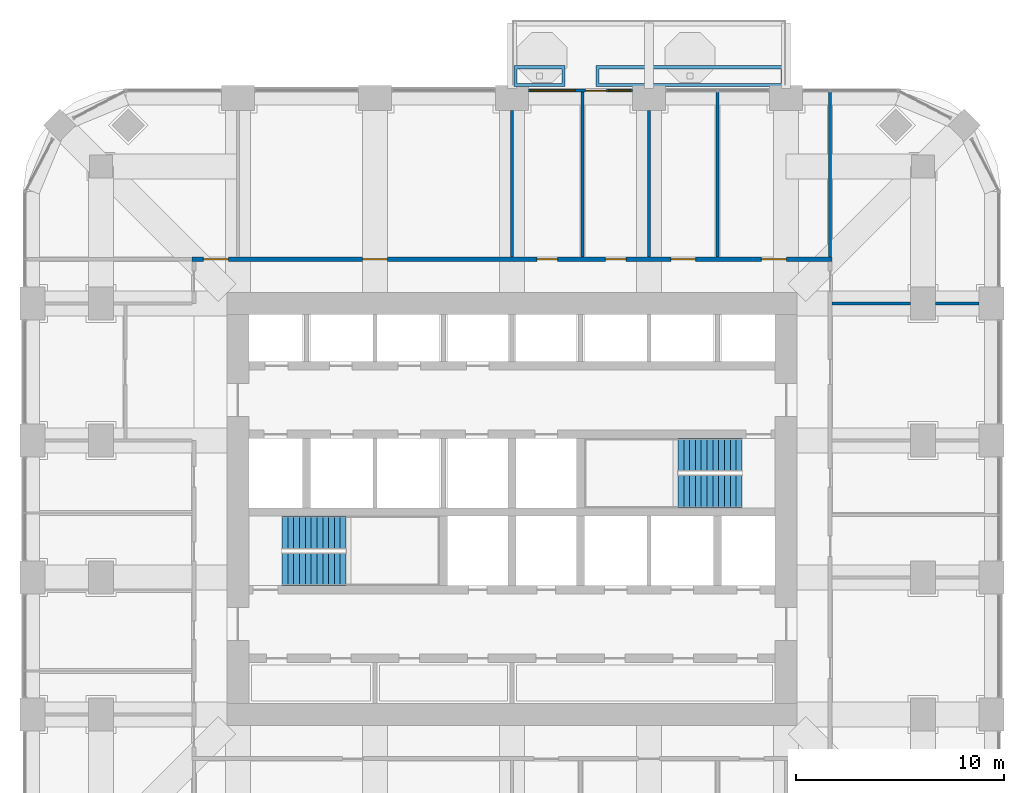
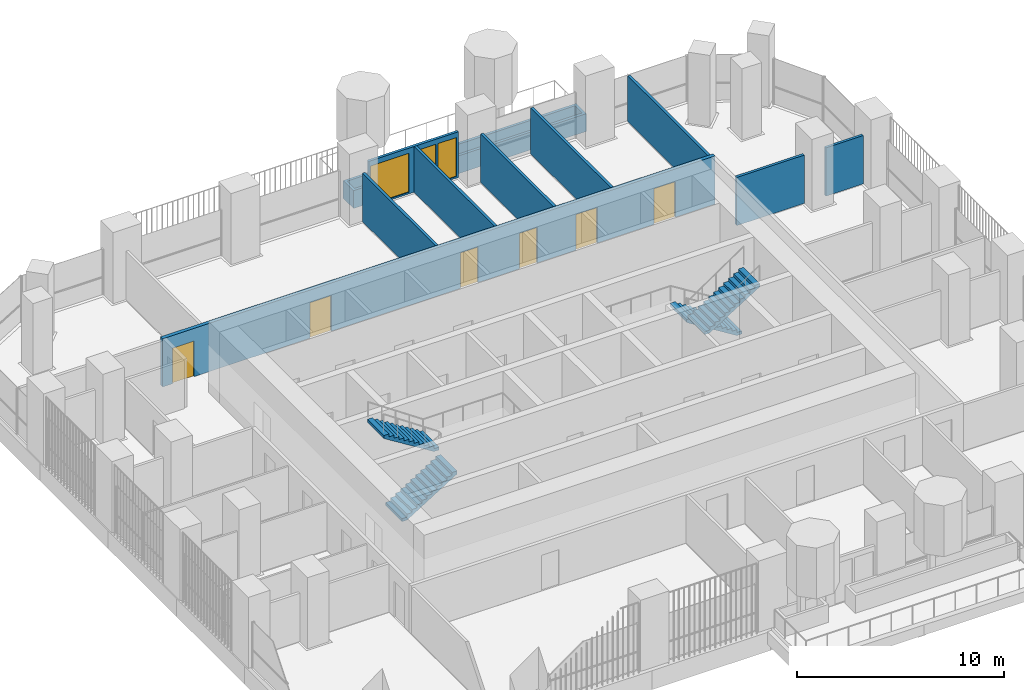
# One storey, part 15 of 19: 11 walls, 7 doors, 4 stair flights, 2 windows, 9 openings, 2 elements without a shape of their own.
"""IFC4 building model written with IfcOpenShell, lengths in metres."""

from ifc_helpers import new_model, si_unit, direction, frame, frame_2d, origin, place, context, subcontext, project, spatial, polyline, rectangle, outline, extrude, material, layer, layer_set, type_object, element, fill, aggregate, save


model = new_model("IFC4")

# Units and contexts
model_context = context("Model", 3, precision=1e-05, world=origin(), true_north=direction((0.0, 1.0)))
body_context = subcontext(model_context, "Body", "Model", "MODEL_VIEW")
ifc_project = project(units=[si_unit("LENGTHUNIT", "METRE"), si_unit("AREAUNIT", "SQUARE_METRE"), si_unit("VOLUMEUNIT", "CUBIC_METRE"), si_unit("PLANEANGLEUNIT", "RADIAN"), si_unit("MASSUNIT", "GRAM", prefix="KILO")], contexts=[model_context])

# Site, building, storey
site_placement = place(None, origin())
site = spatial("IfcSite", under=ifc_project, at=site_placement, CompositionType="ELEMENT")
building_placement = place(site_placement, origin())
building = spatial("IfcBuilding", under=site, at=building_placement, Name="Cobogo Forest Laboratory Tower", CompositionType="ELEMENT")
storey_placement = place(building_placement, frame((0.0, 0.0, 172.5)))
storey = spatial("IfcBuildingStorey", under=building, at=storey_placement, Name="L39", CompositionType="ELEMENT", Elevation=172.5)

# Wall, openings, door, windows
ifc_material_1 = material(Name="Aluminium framed glazed screen", Category="aluminium")
ifc_layer_1 = layer(ifc_material_1, 0.14990234375)
ifc_layer_set_1 = layer_set([ifc_layer_1], Name="GS1 glazed door screen 150")
wall_type_1 = type_object("IfcWallType", Name="GS1 glazed door screen 150", PredefinedType="SOLIDWALL", material=ifc_layer_set_1)
wall_1_placement = place(storey_placement, frame((32.199951171875, 43.25, 0.0), z_axis=(0.0, 0.0, 1.0), x_axis=(-1.0, 0.0, 0.0)))
wall_1 = element("IfcWall", 1, at=wall_1_placement, inside=storey, type_object=wall_type_1, Name="Door screen BAL-N1 L39", PredefinedType="SOLIDWALL", context=body_context, shape_type="SweptSolid", body=[
    extrude(rectangle(XDim=5.0, YDim=0.14990234375, at=frame_2d((2.5, 0.0))), origin(), (0.0, 0.0, 1.0), 2.699951171875),
])
opening_1_placement = place(wall_1_placement, frame((1.25, 0.0, 0.0)))
opening_1 = element("IfcOpeningElement", 2, at=opening_1_placement, cuts=wall_1, Name="Opening L39-D41", PredefinedType="OPENING", context=body_context, shape_type="SweptSolid", body=[
    extrude(rectangle(XDim=1.0, YDim=2.39990234375, at=frame_2d((0.5, 1.199951171875))), frame((0.0, 0.0849609375, 0.0), z_axis=(0.0, -1.0, 0.0), x_axis=(1.0, 0.0, 0.0)), (0.0, 0.0, 1.0), 0.169921875),
])
opening_2_placement = place(wall_1_placement, frame((0.10009765625, 0.0, 0.10009765625)))
opening_2 = element("IfcOpeningElement", 3, at=opening_2_placement, cuts=wall_1, Name="Opening L39-W04", PredefinedType="OPENING", context=body_context, shape_type="SweptSolid", body=[
    extrude(rectangle(XDim=1.050048828125, YDim=2.300048828125, at=frame_2d((0.52490234375, 1.14990234375))), frame((0.0, 0.0849609375, 0.0), z_axis=(0.0, -1.0, 0.0), x_axis=(1.0, 0.0, 0.0)), (0.0, 0.0, 1.0), 0.169921875),
])
opening_3_placement = place(wall_1_placement, frame((2.75, 0.0, 0.10009765625)))
opening_3 = element("IfcOpeningElement", 4, at=opening_3_placement, cuts=wall_1, Name="Opening L39-W03", PredefinedType="OPENING", context=body_context, shape_type="SweptSolid", body=[
    extrude(rectangle(XDim=2.14990234375, YDim=2.300048828125, at=frame_2d((1.074951171875, 1.14990234375))), frame((0.0, 0.0849609375, 0.0), z_axis=(0.0, -1.0, 0.0), x_axis=(1.0, 0.0, 0.0)), (0.0, 0.0, 1.0), 0.169921875),
])
ifc_material_2 = material(Name="Aluminium glazed door", Category="aluminium")
door_type_1 = type_object("IfcDoorType", Name="DB1 balcony door 1000 glazed", OperationType="SINGLE_SWING_LEFT", PredefinedType="DOOR", material=ifc_material_2)
door_1_placement = place(opening_1_placement, origin())
door_1 = element("IfcDoor", 5, at=door_1_placement, inside=storey, type_object=door_type_1, Name="Door L39-BAL-N1", OperationType="SINGLE_SWING_LEFT", OverallHeight=2.39990234375, OverallWidth=1.0, PredefinedType="DOOR", context=body_context, shape_type="SweptSolid", body=[
    extrude(rectangle(XDim=1.0, YDim=2.39990234375, at=frame_2d((0.5, 1.199951171875))), frame((0.0, 0.02490234375, 0.0), z_axis=(0.0, -1.0, 0.0), x_axis=(1.0, 0.0, 0.0)), (0.0, 0.0, 1.0), 0.050048828125),
])
fill(opening_1, door_1)
ifc_material_3 = material(Name="Aluminium framed glazing", Category="aluminium")
window_type_1 = type_object("IfcWindowType", Name="WG13 fixed glazed light 2150x2300", PartitioningType="SINGLE_PANEL", PredefinedType="WINDOW", material=ifc_material_3)
window_1_placement = place(opening_3_placement, origin())
window_1 = element("IfcWindow", 6, at=window_1_placement, inside=storey, type_object=window_type_1, Name="Window L39-BAL-N1-2", OverallHeight=2.300048828125, OverallWidth=2.14990234375, PartitioningType="SINGLE_PANEL", PredefinedType="WINDOW", context=body_context, shape_type="SweptSolid", body=[
    extrude(rectangle(XDim=2.14990234375, YDim=2.300048828125, at=frame_2d((1.074951171875, 1.14990234375))), frame((0.0, 0.030029296875, 0.0), z_axis=(0.0, -1.0, 0.0), x_axis=(1.0, 0.0, 0.0)), (0.0, 0.0, 1.0), 0.06005859375),
])
fill(opening_3, window_1)
window_type_2 = type_object("IfcWindowType", Name="WG14 fixed glazed light 1050x2300", PartitioningType="SINGLE_PANEL", PredefinedType="WINDOW", material=ifc_material_3)
window_2_placement = place(opening_2_placement, origin())
window_2 = element("IfcWindow", 7, at=window_2_placement, inside=storey, type_object=window_type_2, Name="Window L39-BAL-N1-1", OverallHeight=2.300048828125, OverallWidth=1.050048828125, PartitioningType="SINGLE_PANEL", PredefinedType="WINDOW", context=body_context, shape_type="SweptSolid", body=[
    extrude(rectangle(XDim=1.050048828125, YDim=2.300048828125, at=frame_2d((0.52490234375, 1.14990234375))), frame((0.0, 0.030029296875, 0.0), z_axis=(0.0, -1.0, 0.0), x_axis=(1.0, 0.0, 0.0)), (0.0, 0.0, 1.0), 0.06005859375),
])
fill(opening_2, window_2)

# Walls
ifc_material_4 = material(Name="Gypsum board on steel studs", Category="steel")
ifc_layer_2 = layer(ifc_material_4, 0.14990234375)
ifc_layer_set_2 = layer_set([ifc_layer_2], Name="PT1 laboratory partition 150")
wall_type_2 = type_object("IfcWallType", Name="PT1 laboratory partition 150", PredefinedType="PARTITIONING", material=ifc_layer_set_2)
wall_2_placement = place(storey_placement, frame((41.72509765625, 43.169921875, 0.0), z_axis=(0.0, 0.0, 1.0), x_axis=(0.0, -1.0, 0.0)))
element("IfcWall", 8, at=wall_2_placement, inside=storey, type_object=wall_type_2, Name="Partition PW-NE L39", PredefinedType="PARTITIONING", context=body_context, shape_type="SweptSolid", body=[
    extrude(rectangle(XDim=7.94482421875, YDim=0.14990234375, at=frame_2d((3.972412109375, 0.0))), origin(), (0.0, 0.0, 1.0), 2.699951171875),
])
wall_3_placement = place(storey_placement, frame((48.89990234375, 33.0, 0.0), z_axis=(0.0, 0.0, 1.0), x_axis=(-1.0, 0.0, 0.0)))
element("IfcWall", 9, at=wall_3_placement, inside=storey, type_object=wall_type_2, Name="Partition CUT-E33-1 L39", PredefinedType="PARTITIONING", context=body_context, shape_type="SweptSolid", body=[
    extrude(rectangle(XDim=2.099853515625, YDim=0.14990234375, at=frame_2d((1.0498046875, 0.0))), origin(), (0.0, 0.0, 1.0), 2.85009765625),
])
wall_4_placement = place(storey_placement, frame((45.60009765625, 33.0, 0.0), z_axis=(0.0, 0.0, 1.0), x_axis=(-1.0, 0.0, 0.0)))
element("IfcWall", 10, at=wall_4_placement, inside=storey, type_object=wall_type_2, Name="Partition CUT-E33-2 L39", PredefinedType="PARTITIONING", context=body_context, shape_type="SweptSolid", body=[
    extrude(rectangle(XDim=3.775146484375, YDim=0.14990234375, at=frame_2d((1.8876953125, 0.0))), origin(), (0.0, 0.0, 1.0), 2.85009765625),
])
wall_5_placement = place(storey_placement, frame((29.800048828125, 43.169921875, 0.0), z_axis=(0.0, 0.0, 1.0), x_axis=(0.0, -1.0, 0.0)))
element("IfcWall", 11, at=wall_5_placement, inside=storey, type_object=wall_type_2, Name="Partition SVC-N1-1 L39", PredefinedType="PARTITIONING", context=body_context, shape_type="SweptSolid", body=[
    extrude(rectangle(XDim=7.94482421875, YDim=0.14990234375, at=frame_2d((3.972412109375, 0.0))), origin(), (0.0, 0.0, 1.0), 2.699951171875),
])
for number, where, z_axis, x_axis, name in (
    (12, (33.0, 42.300048828125, 0.0), (0.0, 0.0, 1.0), (0.0, -1.0, 0.0), "Partition SVC-N2-1 L39"),
    (13, (26.39990234375, 42.300048828125, 0.0), (0.0, 0.0, 1.0), (0.0, -1.0, 0.0), "Partition CUT-N26.4-1 L39"),
):
    element("IfcWall", number, at=place(storey_placement, frame(where, z_axis=z_axis, x_axis=x_axis)), inside=storey, type_object=wall_type_2, Name=name, PredefinedType="PARTITIONING", context=body_context, shape_type="SweptSolid", body=[
        extrude(rectangle(XDim=7.074951171875, YDim=0.14990234375, at=frame_2d((3.53759765625, 0.0))), origin(), (0.0, 0.0, 1.0), 2.85009765625),
    ])
wall_6_placement = place(storey_placement, frame((36.300048828125, 43.169921875, 0.0), z_axis=(0.0, 0.0, 1.0), x_axis=(0.0, -1.0, 0.0)))
element("IfcWall", 14, at=wall_6_placement, inside=storey, type_object=wall_type_2, Name="Partition CUT-N36.3-1 L39", PredefinedType="PARTITIONING", context=body_context, shape_type="SweptSolid", body=[
    extrude(rectangle(XDim=7.94482421875, YDim=0.14990234375, at=frame_2d((3.972412109375, 0.0))), origin(), (0.0, 0.0, 1.0), 2.699951171875),
])

# Wall, openings, doors
ifc_layer_3 = layer(ifc_material_4, 0.199951171875)
ifc_layer_set_3 = layer_set([ifc_layer_3], Name="PT2 fire-rated corridor partition 200")
wall_type_3 = type_object("IfcWallType", Name="PT2 fire-rated corridor partition 200", PredefinedType="PARTITIONING", material=ifc_layer_set_3)
wall_7_placement = place(storey_placement, frame((10.97509765625, 35.125, 0.0), z_axis=(0.0, 0.0, 1.0), x_axis=(1.0, 0.0, 0.0)))
wall_7 = element("IfcWall", 15, at=wall_7_placement, inside=storey, type_object=wall_type_3, Name="Partition CORR-N L39", PredefinedType="PARTITIONING", context=body_context, shape_type="SweptSolid", body=[
    extrude(rectangle(XDim=30.849853515625, YDim=0.199951171875, at=frame_2d((15.4248046875, 0.0))), origin(), (0.0, 0.0, 1.0), 2.85009765625),
])
opening_4_placement = place(wall_7_placement, frame((0.5625, 0.0, 0.0)))
opening_4 = element("IfcOpeningElement", 16, at=opening_4_placement, cuts=wall_7, Name="Opening L39-D35", PredefinedType="OPENING", context=body_context, shape_type="SweptSolid", body=[
    extrude(rectangle(XDim=1.199951171875, YDim=2.10009765625, at=frame_2d((0.60009765625, 1.050048828125))), frame((0.0, 0.10986328125, 0.0), z_axis=(0.0, -1.0, 0.0), x_axis=(1.0, 0.0, 0.0)), (0.0, 0.0, 1.0), 0.219970703125),
])
opening_5_placement = place(wall_7_placement, frame((8.22509765625, 0.0, 0.0)))
opening_5 = element("IfcOpeningElement", 17, at=opening_5_placement, cuts=wall_7, Name="Opening L39-D36", PredefinedType="OPENING", context=body_context, shape_type="SweptSolid", body=[
    extrude(rectangle(XDim=1.199951171875, YDim=2.10009765625, at=frame_2d((0.60009765625, 1.050048828125))), frame((0.0, 0.10986328125, 0.0), z_axis=(0.0, -1.0, 0.0), x_axis=(1.0, 0.0, 0.0)), (0.0, 0.0, 1.0), 0.219970703125),
])
opening_6_placement = place(wall_7_placement, frame((16.625, 0.0, 0.0)))
opening_6 = element("IfcOpeningElement", 18, at=opening_6_placement, cuts=wall_7, Name="Opening L39-D37", PredefinedType="OPENING", context=body_context, shape_type="SweptSolid", body=[
    extrude(rectangle(XDim=1.0, YDim=2.10009765625, at=frame_2d((0.5, 1.050048828125))), frame((0.0, 0.10986328125, 0.0), z_axis=(0.0, -1.0, 0.0), x_axis=(1.0, 0.0, 0.0)), (0.0, 0.0, 1.0), 0.219970703125),
])
opening_7_placement = place(wall_7_placement, frame((19.925048828125, 0.0, 0.0)))
opening_7 = element("IfcOpeningElement", 19, at=opening_7_placement, cuts=wall_7, Name="Opening L39-D38", PredefinedType="OPENING", context=body_context, shape_type="SweptSolid", body=[
    extrude(rectangle(XDim=1.0, YDim=2.10009765625, at=frame_2d((0.5, 1.050048828125))), frame((0.0, 0.10986328125, 0.0), z_axis=(0.0, -1.0, 0.0), x_axis=(1.0, 0.0, 0.0)), (0.0, 0.0, 1.0), 0.219970703125),
])
opening_8_placement = place(wall_7_placement, frame((23.074951171875, 0.0, 0.0)))
opening_8 = element("IfcOpeningElement", 20, at=opening_8_placement, cuts=wall_7, Name="Opening L39-D39", PredefinedType="OPENING", context=body_context, shape_type="SweptSolid", body=[
    extrude(rectangle(XDim=1.199951171875, YDim=2.10009765625, at=frame_2d((0.60009765625, 1.050048828125))), frame((0.0, 0.10986328125, 0.0), z_axis=(0.0, -1.0, 0.0), x_axis=(1.0, 0.0, 0.0)), (0.0, 0.0, 1.0), 0.219970703125),
])
opening_9_placement = place(wall_7_placement, frame((27.4375, 0.0, 0.0)))
opening_9 = element("IfcOpeningElement", 21, at=opening_9_placement, cuts=wall_7, Name="Opening L39-D40", PredefinedType="OPENING", context=body_context, shape_type="SweptSolid", body=[
    extrude(rectangle(XDim=1.199951171875, YDim=2.10009765625, at=frame_2d((0.60009765625, 1.050048828125))), frame((0.0, 0.10986328125, 0.0), z_axis=(0.0, -1.0, 0.0), x_axis=(1.0, 0.0, 0.0)), (0.0, 0.0, 1.0), 0.219970703125),
])
ifc_material_5 = material(Name="Timber door", Category="wood")
door_type_2 = type_object("IfcDoorType", Name="D2 laboratory door 1200 unequal pair", OperationType="DOUBLE_DOOR_SINGLE_SWING", PredefinedType="DOOR", material=ifc_material_5)
door_2_placement = place(opening_4_placement, origin())
door_2 = element("IfcDoor", 22, at=door_2_placement, inside=storey, type_object=door_type_2, Name="Door L39-N1", OperationType="DOUBLE_DOOR_SINGLE_SWING", OverallHeight=2.10009765625, OverallWidth=1.199951171875, PredefinedType="DOOR", context=body_context, shape_type="SweptSolid", body=[
    extrude(rectangle(XDim=1.199951171875, YDim=2.10009765625, at=frame_2d((0.60009765625, 1.050048828125))), frame((0.0, 0.02490234375, 0.0), z_axis=(0.0, -1.0, 0.0), x_axis=(1.0, 0.0, 0.0)), (0.0, 0.0, 1.0), 0.050048828125),
])
fill(opening_4, door_2)
door_3_placement = place(opening_5_placement, origin())
door_3 = element("IfcDoor", 23, at=door_3_placement, inside=storey, type_object=door_type_2, Name="Door L39-N2", OperationType="DOUBLE_DOOR_SINGLE_SWING", OverallHeight=2.10009765625, OverallWidth=1.199951171875, PredefinedType="DOOR", context=body_context, shape_type="SweptSolid", body=[
    extrude(rectangle(XDim=1.199951171875, YDim=2.10009765625, at=frame_2d((0.60009765625, 1.050048828125))), frame((0.0, 0.02490234375, 0.0), z_axis=(0.0, -1.0, 0.0), x_axis=(1.0, 0.0, 0.0)), (0.0, 0.0, 1.0), 0.050048828125),
])
fill(opening_5, door_3)
door_4_placement = place(opening_8_placement, origin())
door_4 = element("IfcDoor", 24, at=door_4_placement, inside=storey, type_object=door_type_2, Name="Door L39-N3", OperationType="DOUBLE_DOOR_SINGLE_SWING", OverallHeight=2.10009765625, OverallWidth=1.199951171875, PredefinedType="DOOR", context=body_context, shape_type="SweptSolid", body=[
    extrude(rectangle(XDim=1.199951171875, YDim=2.10009765625, at=frame_2d((0.60009765625, 1.050048828125))), frame((0.0, 0.02490234375, 0.0), z_axis=(0.0, -1.0, 0.0), x_axis=(1.0, 0.0, 0.0)), (0.0, 0.0, 1.0), 0.050048828125),
])
fill(opening_8, door_4)
door_5_placement = place(opening_9_placement, origin())
door_5 = element("IfcDoor", 25, at=door_5_placement, inside=storey, type_object=door_type_2, Name="Door L39-N4", OperationType="DOUBLE_DOOR_SINGLE_SWING", OverallHeight=2.10009765625, OverallWidth=1.199951171875, PredefinedType="DOOR", context=body_context, shape_type="SweptSolid", body=[
    extrude(rectangle(XDim=1.199951171875, YDim=2.10009765625, at=frame_2d((0.60009765625, 1.050048828125))), frame((0.0, 0.02490234375, 0.0), z_axis=(0.0, -1.0, 0.0), x_axis=(1.0, 0.0, 0.0)), (0.0, 0.0, 1.0), 0.050048828125),
])
fill(opening_9, door_5)
ifc_material_6 = material(Name="Timber fire door", Category="wood")
door_type_3 = type_object("IfcDoorType", Name="FD2 fire door 1000 EI2 30", OperationType="SINGLE_SWING_LEFT", PredefinedType="DOOR", material=ifc_material_6)
door_6_placement = place(opening_6_placement, origin())
door_6 = element("IfcDoor", 26, at=door_6_placement, inside=storey, type_object=door_type_3, Name="Door L39-MTG", OperationType="SINGLE_SWING_RIGHT", OverallHeight=2.10009765625, OverallWidth=1.0, PredefinedType="DOOR", context=body_context, shape_type="SweptSolid", body=[
    extrude(rectangle(XDim=1.0, YDim=2.10009765625, at=frame_2d((0.5, 1.050048828125))), frame((0.0, 0.02490234375, 0.0), z_axis=(0.0, -1.0, 0.0), x_axis=(1.0, 0.0, 0.0)), (0.0, 0.0, 1.0), 0.050048828125),
])
fill(opening_6, door_6)
door_7_placement = place(opening_7_placement, origin())
door_7 = element("IfcDoor", 27, at=door_7_placement, inside=storey, type_object=door_type_3, Name="Door L39-PAN", OperationType="SINGLE_SWING_RIGHT", OverallHeight=2.10009765625, OverallWidth=1.0, PredefinedType="DOOR", context=body_context, shape_type="SweptSolid", body=[
    extrude(rectangle(XDim=1.0, YDim=2.10009765625, at=frame_2d((0.5, 1.050048828125))), frame((0.0, 0.02490234375, 0.0), z_axis=(0.0, -1.0, 0.0), x_axis=(1.0, 0.0, 0.0)), (0.0, 0.0, 1.0), 0.050048828125),
])
fill(opening_7, door_7)

# Walls
ifc_material_7 = material(Name="Concrete HA-40 (C40/50)", Category="concrete")
ifc_layer_4 = layer(ifc_material_7, 0.14990234375)
ifc_layer_set_4 = layer_set([ifc_layer_4], Name="Planter box 1000x1050")
wall_type_4 = type_object("IfcWallType", Name="Planter box 1000x1050", PredefinedType="USERDEFINED", material=ifc_layer_set_4)
wall_8_placement = place(storey_placement, origin())
element("IfcWall", 28, at=wall_8_placement, inside=storey, type_object=wall_type_4, Name="Planter BAL-N1-1 L39", ObjectType="PLANTER", PredefinedType="USERDEFINED", context=body_context, shape_type="SweptSolid", body=[
    extrude(outline(polyline([(26.5, 43.449951171875), (28.949951171875, 43.449951171875), (28.949951171875, 44.449951171875), (26.5, 44.449951171875), (26.5, 43.449951171875)]), holes=[polyline([(26.64990234375, 43.60009765625), (28.800048828125, 43.60009765625), (28.800048828125, 44.300048828125), (26.64990234375, 44.300048828125), (26.64990234375, 43.60009765625)])]), origin(), (0.0, 0.0, 1.0), 1.050048828125),
])
wall_9_placement = place(storey_placement, origin())
element("IfcWall", 29, at=wall_9_placement, inside=storey, type_object=wall_type_4, Name="Planter BAL-N1-2 L39", ObjectType="PLANTER", PredefinedType="USERDEFINED", context=body_context, shape_type="SweptSolid", body=[
    extrude(outline(polyline([(30.449951171875, 43.449951171875), (39.5, 43.449951171875), (39.5, 44.449951171875), (30.449951171875, 44.449951171875), (30.449951171875, 43.449951171875)]), holes=[polyline([(30.60009765625, 43.60009765625), (39.35009765625, 43.60009765625), (39.35009765625, 44.300048828125), (30.60009765625, 44.300048828125), (30.60009765625, 43.60009765625)])]), origin(), (0.0, 0.0, 1.0), 1.050048828125),
])

# Stair, stair flights
ifc_material_8 = material(Name="Precast concrete HA-40 (C40/50)", Category="concrete")
stair_type = type_object("IfcStairType", Name="ST24 exit stair 24 risers", PredefinedType="HALF_TURN_STAIR", material=ifc_material_8)
stair_1_placement = place(storey_placement, origin())
stair_1 = element("IfcStair", 30, at=stair_1_placement, inside=storey, type_object=stair_type, Name="Stair 1 L39 to L40", PredefinedType="HALF_TURN_STAIR")
stair_flight_type = type_object("IfcStairFlightType", Name="ST stair flight 280 going", PredefinedType="STRAIGHT", material=ifc_material_8)
stair_flight_1_placement = place(storey_placement, frame((15.324951171875, 20.199951171875, 0.0), z_axis=(0.0, 0.0, 1.0), x_axis=(1.0, 0.0, 0.0)))
stair_flight_1 = element("IfcStairFlight", 31, at=stair_flight_1_placement, type_object=stair_flight_type, Name="ST1 flight 1", NumberOfRisers=12, NumberOfTreads=11, PredefinedType="STRAIGHT", RiserHeight=0.175, TreadLength=0.28, context=body_context, shape_type="SweptSolid", body=[
    extrude(outline(polyline([(0.0, 0.0), (0.0, 0.175048828125), (0.280029296875, 0.175048828125), (0.280029296875, 0.35009765625), (0.56005859375, 0.35009765625), (0.56005859375, 0.52490234375), (0.840087890625, 0.52490234375), (0.840087890625, 0.699951171875), (1.1201171875, 0.699951171875), (1.1201171875, 0.875), (1.39990234375, 0.875), (1.39990234375, 1.050048828125), (1.679931640625, 1.050048828125), (1.679931640625, 1.22509765625), (1.9599609375, 1.22509765625), (1.9599609375, 1.39990234375), (2.239990234375, 1.39990234375), (2.239990234375, 1.574951171875), (2.52001953125, 1.574951171875), (2.52001953125, 1.75), (2.800048828125, 1.75), (2.800048828125, 1.925048828125), (3.080078125, 1.925048828125), (3.080078125, 2.10009765625), (3.080078125, 1.748291015625), (0.28271484375, 0.0), (0.0, 0.0)])), frame((0.0, 0.800048828125, 0.0), z_axis=(0.0, -1.0, 0.0), x_axis=(1.0, 0.0, 0.0)), (0.0, 0.0, 1.0), 1.60009765625),
])
stair_flight_2_placement = place(storey_placement, frame((18.405029296875, 21.949951171875, 2.10009765625), z_axis=(0.0, 0.0, 1.0), x_axis=(-1.0, 0.0, 0.0)))
stair_flight_2 = element("IfcStairFlight", 32, at=stair_flight_2_placement, type_object=stair_flight_type, Name="ST1 flight 2", NumberOfRisers=12, NumberOfTreads=11, PredefinedType="STRAIGHT", RiserHeight=0.175, TreadLength=0.28, context=body_context, shape_type="SweptSolid", body=[
    extrude(outline(polyline([(0.0, 0.0), (0.0, 0.175048828125), (0.280029296875, 0.175048828125), (0.280029296875, 0.35009765625), (0.56005859375, 0.35009765625), (0.56005859375, 0.52490234375), (0.840087890625, 0.52490234375), (0.840087890625, 0.699951171875), (1.1201171875, 0.699951171875), (1.1201171875, 0.875), (1.39990234375, 0.875), (1.39990234375, 1.050048828125), (1.679931640625, 1.050048828125), (1.679931640625, 1.22509765625), (1.9599609375, 1.22509765625), (1.9599609375, 1.39990234375), (2.239990234375, 1.39990234375), (2.239990234375, 1.574951171875), (2.52001953125, 1.574951171875), (2.52001953125, 1.75), (2.800048828125, 1.75), (2.800048828125, 1.925048828125), (3.080078125, 1.925048828125), (3.080078125, 2.10009765625), (3.080078125, 1.748291015625), (0.28271484375, 0.0), (0.0, 0.0)])), frame((0.0, 0.800048828125, 0.0), z_axis=(0.0, -1.0, 0.0), x_axis=(1.0, 0.0, 0.0)), (0.0, 0.0, 1.0), 1.60009765625),
])
aggregate(stair_1, [stair_flight_1, stair_flight_2])

stair_2_placement = place(storey_placement, origin())
stair_2 = element("IfcStair", 33, at=stair_2_placement, inside=storey, type_object=stair_type, Name="Stair 2 L39 to L40", PredefinedType="HALF_TURN_STAIR")
stair_flight_3_placement = place(storey_placement, frame((37.47509765625, 25.699951171875, 0.0), z_axis=(0.0, 0.0, 1.0), x_axis=(-1.0, 0.0, 0.0)))
stair_flight_3 = element("IfcStairFlight", 34, at=stair_flight_3_placement, type_object=stair_flight_type, Name="ST2 flight 1", NumberOfRisers=12, NumberOfTreads=11, PredefinedType="STRAIGHT", RiserHeight=0.175, TreadLength=0.28, context=body_context, shape_type="SweptSolid", body=[
    extrude(outline(polyline([(0.0, 0.0), (0.0, 0.175048828125), (0.280029296875, 0.175048828125), (0.280029296875, 0.35009765625), (0.56005859375, 0.35009765625), (0.56005859375, 0.52490234375), (0.840087890625, 0.52490234375), (0.840087890625, 0.699951171875), (1.1201171875, 0.699951171875), (1.1201171875, 0.875), (1.39990234375, 0.875), (1.39990234375, 1.050048828125), (1.679931640625, 1.050048828125), (1.679931640625, 1.22509765625), (1.9599609375, 1.22509765625), (1.9599609375, 1.39990234375), (2.239990234375, 1.39990234375), (2.239990234375, 1.574951171875), (2.52001953125, 1.574951171875), (2.52001953125, 1.75), (2.800048828125, 1.75), (2.800048828125, 1.925048828125), (3.080078125, 1.925048828125), (3.080078125, 2.10009765625), (3.080078125, 1.748291015625), (0.28271484375, 0.0), (0.0, 0.0)])), frame((0.0, 0.800048828125, 0.0), z_axis=(0.0, -1.0, 0.0), x_axis=(1.0, 0.0, 0.0)), (0.0, 0.0, 1.0), 1.60009765625),
])
stair_flight_4_placement = place(storey_placement, frame((34.39501953125, 23.949951171875, 2.10009765625), z_axis=(0.0, 0.0, 1.0), x_axis=(1.0, 0.0, 0.0)))
stair_flight_4 = element("IfcStairFlight", 35, at=stair_flight_4_placement, type_object=stair_flight_type, Name="ST2 flight 2", NumberOfRisers=12, NumberOfTreads=11, PredefinedType="STRAIGHT", RiserHeight=0.175, TreadLength=0.28, context=body_context, shape_type="SweptSolid", body=[
    extrude(outline(polyline([(0.0, 0.0), (0.0, 0.175048828125), (0.280029296875, 0.175048828125), (0.280029296875, 0.35009765625), (0.56005859375, 0.35009765625), (0.56005859375, 0.52490234375), (0.840087890625, 0.52490234375), (0.840087890625, 0.699951171875), (1.1201171875, 0.699951171875), (1.1201171875, 0.875), (1.39990234375, 0.875), (1.39990234375, 1.050048828125), (1.679931640625, 1.050048828125), (1.679931640625, 1.22509765625), (1.9599609375, 1.22509765625), (1.9599609375, 1.39990234375), (2.239990234375, 1.39990234375), (2.239990234375, 1.574951171875), (2.52001953125, 1.574951171875), (2.52001953125, 1.75), (2.800048828125, 1.75), (2.800048828125, 1.925048828125), (3.080078125, 1.925048828125), (3.080078125, 2.10009765625), (3.080078125, 1.748291015625), (0.28271484375, 0.0), (0.0, 0.0)])), frame((0.0, 0.800048828125, 0.0), z_axis=(0.0, -1.0, 0.0), x_axis=(1.0, 0.0, 0.0)), (0.0, 0.0, 1.0), 1.60009765625),
])
aggregate(stair_2, [stair_flight_3, stair_flight_4])

save(model, "model.ifc")
